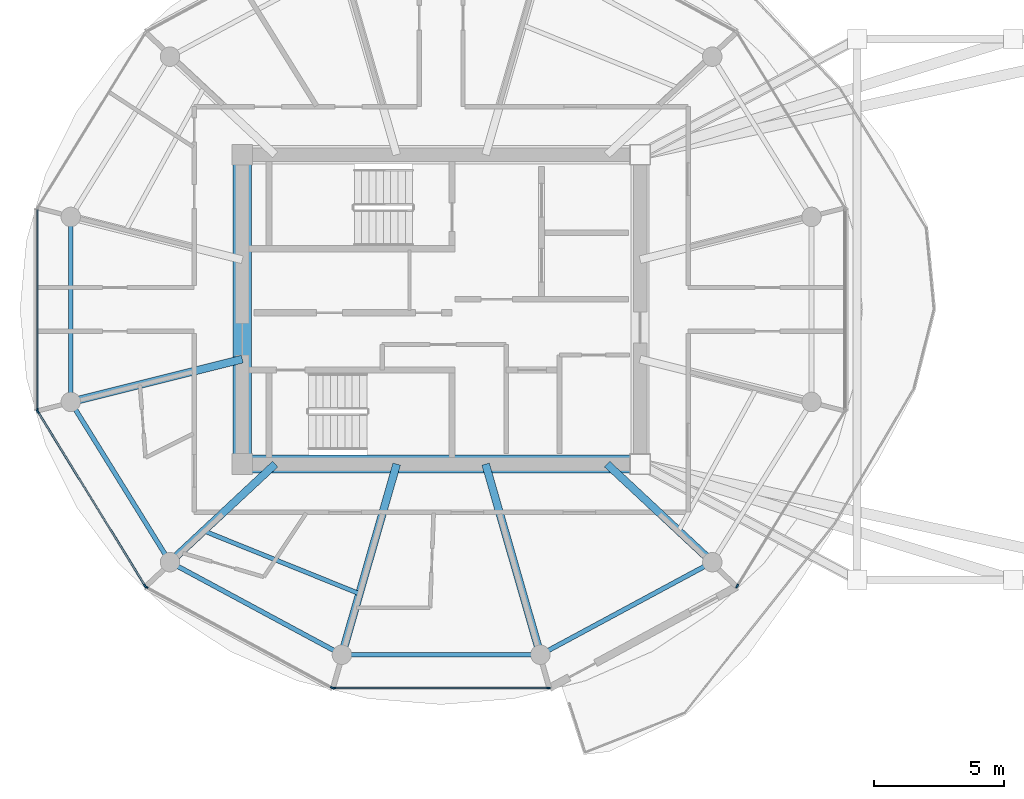
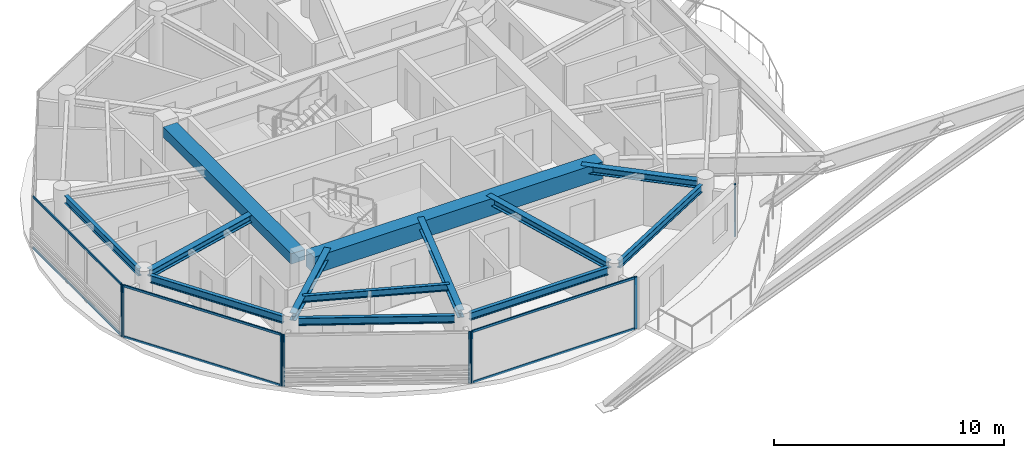
# One storey, part 2 of 23: 14 members, 13 beams, 5 elements without a shape of their own.
"""IFC4 building model written with IfcOpenShell, lengths in metres."""

import ifcopenshell
import ifcopenshell.guid

model = None  # the IFC model being written
_history = None  # IfcOwnerHistory: only IFC2X3 demands one
_inside = {}  # id of a spatial element -> (the spatial element, [elements in it])
_under = {}  # id of a project, library or spatial element -> (it, [spatial elements below it])
_declared = {}  # id of a project -> (the project, [libraries it declares])
_typed = {}  # id of a type object -> (the type object, [elements of that type])
_made_of = {}  # id of a material, layer set ... -> (it, [elements and type objects made of it])


def new_model(schema):
    """Start an empty IFC model of exactly this schema.

    Asked for "IFC4X3", IfcOpenShell would pick the latest addendum, in which some entities
    have other attributes; the version numbers below select the first issue.
    IFC2X3 requires an IfcOwnerHistory on every rooted entity: one is made here for all.
    """
    global model, _history
    if schema == "IFC4X3":
        model = ifcopenshell.file(schema_version=(4, 3, 0, 0))
    else:
        model = ifcopenshell.file(schema=schema)
    _inside.clear()
    _under.clear()
    _declared.clear()
    _typed.clear()
    _made_of.clear()
    _history = None
    if model.schema == "IFC2X3":
        org = make("IfcOrganization", Name="unknown")
        user = make(
            "IfcPersonAndOrganization",
            ThePerson=make("IfcPerson", FamilyName="unknown"),
            TheOrganization=org,
        )
        app = make(
            "IfcApplication",
            ApplicationDeveloper=org,
            Version="unknown",
            ApplicationFullName="unknown",
            ApplicationIdentifier="unknown",
        )
        _history = make(
            "IfcOwnerHistory",
            OwningUser=user,
            OwningApplication=app,
            ChangeAction="ADDED",
            CreationDate=0,
        )
    return model


def make(cls, **values):
    """One entity of the class cls with the attributes given. An attribute that is None is left unset."""
    return model.create_entity(
        cls, **{name: value for name, value in values.items() if value is not None}
    )


def rooted(cls, **values):
    """An entity with a GlobalId (a new one), such as an element, a storey or a relation."""
    return make(cls, GlobalId=ifcopenshell.guid.new(), OwnerHistory=_history, **values)


def si_unit(unit_type, name, prefix=None):
    """IfcSIUnit, for example si_unit("LENGTHUNIT", "METRE", prefix="MILLI")."""
    return make("IfcSIUnit", UnitType=unit_type, Prefix=prefix, Name=name)


def assignment(units):
    """IfcUnitAssignment: the units of a project."""
    return None if units is None else make("IfcUnitAssignment", Units=units)


def point(xyz):
    """IfcCartesianPoint."""
    return None if xyz is None else make("IfcCartesianPoint", Coordinates=xyz)


def direction(xyz):
    """IfcDirection."""
    return None if xyz is None else make("IfcDirection", DirectionRatios=xyz)


def frame(location, z_axis=None, x_axis=None):
    """IfcAxis2Placement3D, a coordinate frame: its origin and axes. An axis left out is left unset."""
    return make(
        "IfcAxis2Placement3D",
        Location=point(location),
        Axis=direction(z_axis),
        RefDirection=direction(x_axis),
    )


def frame_2d(location, x_axis=None):
    """IfcAxis2Placement2D, a coordinate frame in the plane: its origin and x axis."""
    return make(
        "IfcAxis2Placement2D", Location=point(location), RefDirection=direction(x_axis)
    )


def origin():
    """The frame at (0, 0, 0) with its axes left unset."""
    return frame((0.0, 0.0, 0.0))


def origin_2d():
    """The frame at (0, 0) in the plane with its x axis left unset."""
    return frame_2d((0.0, 0.0))


def place(relative_to, where):
    """IfcLocalPlacement: puts the frame where relative to a parent placement (None: the world)."""
    return make(
        "IfcLocalPlacement", PlacementRelTo=relative_to, RelativePlacement=where
    )


def context(
    kind, dimensions, precision=None, world=None, true_north=None, identifier=None
):
    """IfcGeometricRepresentationContext, for example the 3D "Model" context."""
    return make(
        "IfcGeometricRepresentationContext",
        ContextIdentifier=identifier,
        ContextType=kind,
        CoordinateSpaceDimension=dimensions,
        Precision=precision,
        WorldCoordinateSystem=world,
        TrueNorth=true_north,
    )


def subcontext(parent, identifier, kind, view, scale=None):
    """IfcGeometricRepresentationSubContext, for example "Body" below "Model"."""
    return make(
        "IfcGeometricRepresentationSubContext",
        ContextIdentifier=identifier,
        ContextType=kind,
        ParentContext=parent,
        TargetScale=scale,
        TargetView=view,
    )


def project(units=None, contexts=None):
    """IfcProject with its units and contexts."""
    return rooted(
        "IfcProject",
        Name="project",
        RepresentationContexts=contexts,
        UnitsInContext=assignment(units),
    )


def spatial(cls, under=None, at=None, **own):
    """A site, building, storey or space (cls), placed at a placement, below another one or the project."""
    s = rooted(cls, ObjectPlacement=at, **own)
    if under is not None:
        _under.setdefault(under.id(), (under, []))[1].append(s)
    return s


def profile(cls, at=None, kind="AREA", **sizes):
    """A parametric profile (cls). Its sizes go by their IFC names, for example OverallWidth=200.0."""
    return make(cls, ProfileType=kind, Position=at, **sizes)


def rectangle(**sizes):
    """IfcRectangleProfileDef."""
    return profile("IfcRectangleProfileDef", **sizes)


def i_section(**sizes):
    """IfcIShapeProfileDef."""
    return profile("IfcIShapeProfileDef", **sizes)


def extrude(swept, where, along, depth):
    """IfcExtrudedAreaSolid: the profile swept, set in the frame where, extruded along a direction by depth."""
    return make(
        "IfcExtrudedAreaSolid",
        SweptArea=swept,
        Position=where,
        ExtrudedDirection=direction(along),
        Depth=depth,
    )


def shape(context_of_items, identifier, shape_type, items):
    """IfcShapeRepresentation: the items that make up one representation, for example the "Body"."""
    return make(
        "IfcShapeRepresentation",
        ContextOfItems=context_of_items,
        RepresentationIdentifier=identifier,
        RepresentationType=shape_type,
        Items=items,
    )


def source(mapping_origin, context_of_items, identifier, shape_type, items):
    """IfcRepresentationMap: a shape defined once, which mapped items show again and again."""
    return make(
        "IfcRepresentationMap",
        MappingOrigin=mapping_origin,
        MappedRepresentation=shape(context_of_items, identifier, shape_type, items),
    )


def transform(
    local_origin,
    x_axis=None,
    y_axis=None,
    z_axis=None,
    scale=None,
    scale2=None,
    scale3=None,
    uniform=True,
):
    """IfcCartesianTransformationOperator3D, or its non-uniform kind. x_axis, y_axis, z_axis: its Axis1, 2, 3."""
    if uniform:
        return make(
            "IfcCartesianTransformationOperator3D",
            Axis1=direction(x_axis),
            Axis2=direction(y_axis),
            LocalOrigin=point(local_origin),
            Scale=scale,
            Axis3=direction(z_axis),
        )
    return make(
        "IfcCartesianTransformationOperator3DnonUniform",
        Axis1=direction(x_axis),
        Axis2=direction(y_axis),
        LocalOrigin=point(local_origin),
        Scale=scale,
        Axis3=direction(z_axis),
        Scale2=scale2,
        Scale3=scale3,
    )


def mapped(mapping_source, mapping_target):
    """IfcMappedItem: shows the shape of a source again, moved by a transform."""
    return make(
        "IfcMappedItem", MappingSource=mapping_source, MappingTarget=mapping_target
    )


def material(Name=None, Category=None):
    """IfcMaterial."""
    return make("IfcMaterial", Name=Name, Category=Category)


def layer(
    of_material, thickness, ventilated=None, Name=None, Category=None, Priority=None
):
    """IfcMaterialLayer: one layer of a wall or slab, of a material (None: an air gap)."""
    return make(
        "IfcMaterialLayer",
        Material=of_material,
        LayerThickness=thickness,
        IsVentilated=ventilated,
        Name=Name,
        Category=Category,
        Priority=Priority,
    )


def layer_set(layers, Name=None):
    """IfcMaterialLayerSet."""
    return make("IfcMaterialLayerSet", MaterialLayers=layers, LayerSetName=Name)


def material_profile(
    of_material, cross_section, Name=None, Category=None, Priority=None
):
    """IfcMaterialProfile: a cross section and its material."""
    return make(
        "IfcMaterialProfile",
        Name=Name,
        Material=of_material,
        Profile=cross_section,
        Priority=Priority,
        Category=Category,
    )


def profile_set(profiles, Name=None, composite=None):
    """IfcMaterialProfileSet."""
    return make(
        "IfcMaterialProfileSet",
        Name=Name,
        MaterialProfiles=profiles,
        CompositeProfile=composite,
    )


def made_of(thing, what):
    """Note that an element or type object is made of a material, layer set ...; save() writes the relation."""
    if what is not None:
        _made_of.setdefault(what.id(), (what, []))[1].append(thing)
    return thing


def type_object(cls, material=None, **own):
    """A type object (cls), such as IfcWallType, which elements share."""
    return made_of(rooted(cls, **own), material)


def type_shapes(of_type, sources):
    """Give a type object the sources (RepresentationMaps) that its elements show as mapped items."""
    of_type.RepresentationMaps = sources


def element(
    cls,
    number,
    at=None,
    inside=None,
    cuts=None,
    type_object=None,
    material=None,
    context=None,
    identifier="Body",
    shape_type=None,
    held_by="IfcProductDefinitionShape",
    body=None,
    shapes=None,
    **own,
):
    """One element of the class cls, such as IfcWall. Its Tag is "e" and its number.

    at: its placement. inside: the storey or other place that contains it. cuts: it is an
    opening in that element (IfcRelVoidsElement). A single representation is given by context,
    identifier, shape_type and body (its items); several are given by shapes. held_by: the class
    of the entity that holds the representations. save() writes the other relations.
    """
    e = rooted(cls, Tag="e%d" % number, ObjectPlacement=at, **own)
    if body is not None:
        shapes = [shape(context, identifier, shape_type, body)]
    if shapes is not None:
        e.Representation = make(held_by, Representations=shapes)
    if inside is not None:
        _inside.setdefault(inside.id(), (inside, []))[1].append(e)
    if cuts is not None:
        rooted(
            "IfcRelVoidsElement", RelatingBuildingElement=cuts, RelatedOpeningElement=e
        )
    if type_object is not None:
        _typed.setdefault(type_object.id(), (type_object, []))[1].append(e)
    return made_of(e, material)


def aggregate(whole, parts):
    """IfcRelAggregates: a whole, such as a stair, and the parts it consists of."""
    return rooted("IfcRelAggregates", RelatingObject=whole, RelatedObjects=parts)


def save(model, path):
    """Write the relations noted so far, then the file.

    IfcRelAggregates (storeys below a building ...), IfcRelContainedInSpatialStructure (elements
    in a storey), IfcRelDefinesByType, IfcRelAssociatesMaterial and IfcRelDeclares: one each for
    every whole, place, type object, material and project.
    """
    for whole, parts in _under.values():
        aggregate(whole, parts)
    for where, things in _inside.values():
        rooted(
            "IfcRelContainedInSpatialStructure",
            RelatedElements=things,
            RelatingStructure=where,
        )
    for kind, things in _typed.values():
        rooted("IfcRelDefinesByType", RelatedObjects=things, RelatingType=kind)
    for what, things in _made_of.values():
        rooted("IfcRelAssociatesMaterial", RelatedObjects=things, RelatingMaterial=what)
    for by, libraries in _declared.values():
        rooted("IfcRelDeclares", RelatingContext=by, RelatedDefinitions=libraries)
    model.write(path)


model = new_model("IFC4")

# Units and contexts
model_context = context("Model", 3, precision=1e-05, world=origin(), true_north=direction((0.0, 1.0)))
body_context = subcontext(model_context, "Body", "Model", "MODEL_VIEW")
ifc_project = project(units=[si_unit("LENGTHUNIT", "METRE"), si_unit("AREAUNIT", "SQUARE_METRE"), si_unit("VOLUMEUNIT", "CUBIC_METRE"), si_unit("PLANEANGLEUNIT", "RADIAN"), si_unit("MASSUNIT", "GRAM", prefix="KILO")], contexts=[model_context])

# Site, building, storey
site_placement = place(None, origin())
site = spatial("IfcSite", under=ifc_project, at=site_placement, CompositionType="ELEMENT")
building_placement = place(site_placement, origin())
building = spatial("IfcBuilding", under=site, at=building_placement, Name="Norrkilde Senior Care Towers", CompositionType="ELEMENT")
storey_placement = place(building_placement, frame((0.0, 0.0, 196.75)))
storey = spatial("IfcBuildingStorey", under=building, at=storey_placement, Name="L61", CompositionType="ELEMENT", Elevation=196.75)

# Beams
ifc_material_1 = material(Name="Concrete C60/75", Category="concrete")
ifc_material_profile_1 = material_profile(ifc_material_1, rectangle(XDim=0.699951171875, YDim=0.89990234375, at=origin_2d()), Name="RC BM 700x900")
ifc_profile_set_1 = profile_set([ifc_material_profile_1], Name="Concrete C60/75")
beam_type_1 = type_object("IfcBeamType", Name="Core Coupling Girder 700x900", PredefinedType="USERDEFINED", material=ifc_profile_set_1)
shared_shape_1 = source(origin(), body_context, "Body", "SweptSolid", [
    extrude(rectangle(XDim=0.699951171875, YDim=0.89990234375, at=origin_2d()), origin(), (0.0, 0.0, 1.0), 14.5400390625),
])
type_shapes(beam_type_1, [shared_shape_1])
beam_1_placement = place(storey_placement, frame((-35.27001953125, -5.949951171875, 2.31005859375), z_axis=(1.0, 0.0, 0.0), x_axis=(0.0, 1.0, 0.0)))
element("IfcBeam", 1, at=beam_1_placement, inside=storey, type_object=beam_type_1, Name="L61 Core W S Coupling Girder", ObjectType="GIRDER", PredefinedType="USERDEFINED", context=body_context, shape_type="MappedRepresentation", body=[
    mapped(shared_shape_1, transform((0.0, 0.0, 0.0), x_axis=(1.0, 0.0, 0.0), y_axis=(0.0, 1.0, 0.0), z_axis=(0.0, 0.0, 1.0), scale=1.0)),
])
ifc_material_profile_2 = material_profile(ifc_material_1, rectangle(XDim=0.699951171875, YDim=0.550048828125, at=origin_2d()), Name="RC BM 700x550")
ifc_profile_set_2 = profile_set([ifc_material_profile_2], Name="Concrete C60/75")
beam_type_2 = type_object("IfcBeamType", Name="Core Portal Coupling Beam 700x550", PredefinedType="USERDEFINED", material=ifc_profile_set_2)
shared_shape_2 = source(origin(), body_context, "Body", "SweptSolid", [
    extrude(rectangle(XDim=0.699951171875, YDim=0.550048828125, at=origin_2d()), origin(), (0.0, 0.0, 1.0), 11.14013671875),
])
type_shapes(beam_type_2, [shared_shape_2])
beam_2_placement = place(storey_placement, frame((-35.64990234375, -5.570068359375, 2.485107421875), z_axis=(0.0, 1.0, 0.0), x_axis=(-1.0, 0.0, 0.0)))
element("IfcBeam", 2, at=beam_2_placement, inside=storey, type_object=beam_type_2, Name="L61 Core W W Coupling Girder", ObjectType="GIRDER", PredefinedType="USERDEFINED", context=body_context, shape_type="MappedRepresentation", body=[
    mapped(shared_shape_2, transform((0.0, 0.0, 0.0), x_axis=(1.0, 0.0, 0.0), y_axis=(0.0, 1.0, 0.0), z_axis=(0.0, 0.0, 1.0), scale=1.0)),
])
ifc_material_2 = material(Name="Steel S355", Category="steel")
ifc_material_profile_3 = material_profile(ifc_material_2, i_section(OverallWidth=0.179931640625, OverallDepth=0.39990234375, WebThickness=0.008544921875, FlangeThickness=0.013427734375, FilletRadius=0.02099609375, at=origin_2d()), Name="IPE 400")
ifc_profile_set_3 = profile_set([ifc_material_profile_3], Name="Steel S355")
beam_type_3 = type_object("IfcBeamType", Name="Perimeter Ring Spandrel Z4 IPE400", PredefinedType="SPANDREL", material=ifc_profile_set_3)
shared_shape_3 = source(origin(), body_context, "Body", "SweptSolid", [
    extrude(i_section(OverallWidth=0.179931640625, OverallDepth=0.39990234375, WebThickness=0.008544921875, FlangeThickness=0.013427734375, FilletRadius=0.02099609375, at=origin_2d()), origin(), (0.0, 0.0, 1.0), 6.58056640625),
])
beam_3_placement = place(storey_placement, frame((-42.071044921875, -3.843505859375, 2.56005859375), z_axis=(0.526529583789, -0.850156807533, 0.0), x_axis=(0.850156807533, 0.526529583789, 0.0)))
element("IfcBeam", 3, at=beam_3_placement, inside=storey, type_object=beam_type_3, Name="L61 Drum W Perimeter Spandrel 07", PredefinedType="SPANDREL", context=body_context, shape_type="MappedRepresentation", body=[
    mapped(shared_shape_3, transform((0.0, 0.0, 0.0), x_axis=(1.0, 0.0, 0.0), y_axis=(0.0, 1.0, 0.0), z_axis=(0.0, 0.0, 1.0), scale=1.0)),
])
ifc_material_profile_4 = material_profile(ifc_material_2, i_section(OverallWidth=0.300048828125, OverallDepth=0.39990234375, WebThickness=0.013427734375, FlangeThickness=0.02392578125, FilletRadius=0.027099609375, at=origin_2d()), Name="HEB 400")
ifc_profile_set_4 = profile_set([ifc_material_profile_4], Name="Steel S355")
beam_type_4 = type_object("IfcBeamType", Name="Radial Floor Beam Z4 HEB400", PredefinedType="BEAM", material=ifc_profile_set_4)
shared_shape_4 = source(origin(), body_context, "Body", "SweptSolid", [
    extrude(i_section(OverallWidth=0.300048828125, OverallDepth=0.39990234375, WebThickness=0.013427734375, FlangeThickness=0.02392578125, FilletRadius=0.027099609375, at=origin_2d()), origin(), (0.0, 0.0, 1.0), 6.465087890625),
])
beam_4_placement = place(storey_placement, frame((-35.64990234375, -1.910888671875, 2.56005859375), z_axis=(-0.970195788563, -0.242322371758, 0.0), x_axis=(0.242322371758, -0.970195788563, 0.0)))
element("IfcBeam", 4, at=beam_4_placement, inside=storey, type_object=beam_type_4, Name="L61 Drum W Radial Floor Beam 07", PredefinedType="BEAM", context=body_context, shape_type="MappedRepresentation", body=[
    mapped(shared_shape_4, transform((0.0, 0.0, 0.0), x_axis=(1.0, 0.0, 0.0), y_axis=(0.0, 1.0, 0.0), z_axis=(0.0, 0.0, 1.0), scale=1.0)),
])
shared_shape_5 = source(origin(), body_context, "Body", "SweptSolid", [
    extrude(i_section(OverallWidth=0.179931640625, OverallDepth=0.39990234375, WebThickness=0.008544921875, FlangeThickness=0.013427734375, FilletRadius=0.02099609375, at=origin_2d()), origin(), (0.0, 0.0, 1.0), 6.839111328125),
])
for number, where, z_axis, x_axis, name in (
    (5, (-38.134765625, -9.881591796875, 2.56005859375), (0.880563930732, -0.473927382511, 0.0), (0.473927382511, 0.880563930732, 0.0), "L61 Drum W Perimeter Spandrel 08"),
    (6, (-23.887451171875, -13.122802734375, 2.56005859375), (0.880563930732, 0.473927382511, 0.0), (-0.473927382511, 0.880563930732, 0.0), "L61 Drum W Perimeter Spandrel 10"),
):
    element("IfcBeam", number, at=place(storey_placement, frame(where, z_axis=z_axis, x_axis=x_axis)), inside=storey, type_object=beam_type_3, Name=name, PredefinedType="SPANDREL", context=body_context, shape_type="MappedRepresentation", body=[
        mapped(shared_shape_5, transform((0.0, 0.0, 0.0), x_axis=(1.0, 0.0, 0.0), y_axis=(0.0, 1.0, 0.0), z_axis=(0.0, 0.0, 1.0), scale=1.0)),
    ])
shared_shape_6 = source(origin(), body_context, "Body", "SweptSolid", [
    extrude(i_section(OverallWidth=0.300048828125, OverallDepth=0.39990234375, WebThickness=0.013427734375, FlangeThickness=0.02392578125, FilletRadius=0.027099609375, at=origin_2d()), origin(), (0.0, 0.0, 1.0), 5.197998046875),
])
for number, where, z_axis, x_axis, name in (
    (7, (-34.3828125, -5.949951171875, 2.56005859375), (-0.731448749334, -0.681896419625, 0.0), (0.681896419625, -0.731448749334, 0.0), "L61 Drum W Radial Floor Beam 08"),
    (8, (-21.6171875, -5.949951171875, 2.56005859375), (0.731448749334, -0.681896419625, 0.0), (0.681896419625, 0.731448749334, 0.0), "L61 Drum W Radial Floor Beam 11"),
):
    element("IfcBeam", number, at=place(storey_placement, frame(where, z_axis=z_axis, x_axis=x_axis)), inside=storey, type_object=beam_type_4, Name=name, PredefinedType="BEAM", context=body_context, shape_type="MappedRepresentation", body=[
        mapped(shared_shape_6, transform((0.0, 0.0, 0.0), x_axis=(1.0, 0.0, 0.0), y_axis=(0.0, 1.0, 0.0), z_axis=(0.0, 0.0, 1.0), scale=1.0)),
    ])
shared_shape_7 = source(origin(), body_context, "Body", "SweptSolid", [
    extrude(i_section(OverallWidth=0.179931640625, OverallDepth=0.39990234375, WebThickness=0.008544921875, FlangeThickness=0.013427734375, FilletRadius=0.02099609375, at=origin_2d()), origin(), (0.0, 0.0, 1.0), 6.96533203125),
])
beam_5_placement = place(storey_placement, frame((-31.482666015625, -13.281494140625, 2.56005859375), z_axis=(1.0, 0.0, 0.0), x_axis=(0.0, 1.0, 0.0)))
element("IfcBeam", 9, at=beam_5_placement, inside=storey, type_object=beam_type_3, Name="L61 Drum W Perimeter Spandrel 09", PredefinedType="SPANDREL", context=body_context, shape_type="MappedRepresentation", body=[
    mapped(shared_shape_7, transform((0.0, 0.0, 0.0), x_axis=(1.0, 0.0, 0.0), y_axis=(0.0, 1.0, 0.0), z_axis=(0.0, 0.0, 1.0), scale=1.0)),
])
shared_shape_8 = source(origin(), body_context, "Body", "SweptSolid", [
    extrude(i_section(OverallWidth=0.300048828125, OverallDepth=0.39990234375, WebThickness=0.013427734375, FlangeThickness=0.02392578125, FilletRadius=0.027099609375, at=origin_2d()), origin(), (0.0, 0.0, 1.0), 7.29345703125),
])
type_shapes(beam_type_4, [shared_shape_4, shared_shape_6, shared_shape_8])
for number, where, z_axis, x_axis, name in (
    (10, (-29.710205078125, -5.949951171875, 2.56005859375), (-0.276263751906, -0.961081858836, 0.0), (0.961081858836, -0.276263751906, 0.0), "L61 Drum W Radial Floor Beam 09"),
    (11, (-26.289794921875, -5.949951171875, 2.56005859375), (0.276263751906, -0.961081858836, 0.0), (0.961081858836, 0.276263751906, 0.0), "L61 Drum W Radial Floor Beam 10"),
):
    element("IfcBeam", number, at=place(storey_placement, frame(where, z_axis=z_axis, x_axis=x_axis)), inside=storey, type_object=beam_type_4, Name=name, PredefinedType="BEAM", context=body_context, shape_type="MappedRepresentation", body=[
        mapped(shared_shape_8, transform((0.0, 0.0, 0.0), x_axis=(1.0, 0.0, 0.0), y_axis=(0.0, 1.0, 0.0), z_axis=(0.0, 0.0, 1.0), scale=1.0)),
    ])
shared_shape_9 = source(origin(), body_context, "Body", "SweptSolid", [
    extrude(i_section(OverallWidth=0.179931640625, OverallDepth=0.39990234375, WebThickness=0.008544921875, FlangeThickness=0.013427734375, FilletRadius=0.02099609375, at=origin_2d()), origin(), (0.0, 0.0, 1.0), 6.44775390625),
])
type_shapes(beam_type_3, [shared_shape_3, shared_shape_5, shared_shape_7, shared_shape_9])
beam_6_placement = place(storey_placement, frame((-42.247314453125, 3.223876953125, 2.56005859375), z_axis=(0.0, -1.0, 0.0), x_axis=(1.0, 0.0, 0.0)))
element("IfcBeam", 12, at=beam_6_placement, inside=storey, type_object=beam_type_3, Name="L61 Drum W Perimeter Spandrel 06", PredefinedType="SPANDREL", context=body_context, shape_type="MappedRepresentation", body=[
    mapped(shared_shape_9, transform((0.0, 0.0, 0.0), x_axis=(1.0, 0.0, 0.0), y_axis=(0.0, 1.0, 0.0), z_axis=(0.0, 0.0, 1.0), scale=1.0)),
])
ifc_material_profile_5 = material_profile(ifc_material_2, i_section(OverallWidth=0.169921875, OverallDepth=0.360107421875, WebThickness=0.008056640625, FlangeThickness=0.0126953125, FilletRadius=0.01806640625, at=origin_2d()), Name="IPE 360")
ifc_profile_set_5 = profile_set([ifc_material_profile_5], Name="Steel S355")
beam_type_5 = type_object("IfcBeamType", Name="Secondary Floor Joist IPE360", PredefinedType="JOIST", material=ifc_profile_set_5)
shared_shape_10 = source(origin(), body_context, "Body", "SweptSolid", [
    extrude(i_section(OverallWidth=0.169921875, OverallDepth=0.360107421875, WebThickness=0.008056640625, FlangeThickness=0.0126953125, FilletRadius=0.01806640625, at=origin_2d()), origin(), (0.0, 0.0, 1.0), 6.461669921875),
])
type_shapes(beam_type_5, [shared_shape_10])
beam_7_placement = place(storey_placement, frame((-37.134765625, -8.515380859375, 2.580078125), z_axis=(0.927225942298, -0.374502405772, 0.0), x_axis=(0.374502405772, 0.927225942298, 0.0)))
element("IfcBeam", 13, at=beam_7_placement, inside=storey, type_object=beam_type_5, Name="L61 Drum W Secondary Floor Joist 3", PredefinedType="JOIST", context=body_context, shape_type="MappedRepresentation", body=[
    mapped(shared_shape_10, transform((0.0, 0.0, 0.0), x_axis=(1.0, 0.0, 0.0), y_axis=(0.0, 1.0, 0.0), z_axis=(0.0, 0.0, 1.0), scale=1.0)),
])

# Curtain wall, members
ifc_material_3 = material(Name="Triple Low-E Insulated Glazing", Category="glass")
ifc_layer = layer(ifc_material_3, 0.18505859375)
ifc_layer_set = layer_set([ifc_layer], Name="Triple Low-E Insulated Glazing")
curtain_wall_type = type_object("IfcCurtainWallType", Name="CW6 Zone 4 Crown Pavilion Curtain Wall", PredefinedType="NOTDEFINED", material=ifc_layer_set)
curtain_wall_1_placement = place(storey_placement, origin())
curtain_wall_1 = element("IfcCurtainWall", 14, at=curtain_wall_1_placement, inside=storey, type_object=curtain_wall_type, Name="L61 Drum W Curtain Wall 06", PredefinedType="NOTDEFINED")
ifc_material_4 = material(Name="Anodised Aluminium", Category="aluminium")
ifc_material_profile_6 = material_profile(ifc_material_4, rectangle(XDim=0.06005859375, YDim=0.1201171875, at=origin_2d()), Name="ALU TRAN 60x120")
ifc_profile_set_6 = profile_set([ifc_material_profile_6], Name="Anodised Aluminium")
member_type_1 = type_object("IfcMemberType", Name="Curtain Wall Transom Typical 60x120", PredefinedType="USERDEFINED", material=ifc_profile_set_6)
shared_shape_11 = source(origin(), body_context, "Body", "SweptSolid", [
    extrude(rectangle(XDim=0.06005859375, YDim=0.1201171875, at=origin_2d()), origin(), (0.0, 0.0, 1.0), 7.808837890625),
])
member_1_placement = place(storey_placement, frame((-39.404296875, -10.60791015625, 0.030029296875), z_axis=(-0.524250924101, 0.851563837055, 0.0), x_axis=(-0.851563837055, -0.524250924101, 0.0)))
member_1 = element("IfcMember", 15, at=member_1_placement, type_object=member_type_1, Name="CW-6 transom 1.1", ObjectType="TRANSOM", PredefinedType="USERDEFINED", context=body_context, shape_type="MappedRepresentation", body=[
    mapped(shared_shape_11, transform((0.0, 0.0, 0.0), x_axis=(1.0, 0.0, 0.0), y_axis=(0.0, 1.0, 0.0), z_axis=(0.0, 0.0, 1.0), scale=1.0)),
])
member_2_placement = place(storey_placement, frame((-39.404296875, -10.60791015625, 2.72998046875), z_axis=(-0.524250924101, 0.851563837055, 0.0), x_axis=(-0.851563837055, -0.524250924101, 0.0)))
member_2 = element("IfcMember", 16, at=member_2_placement, type_object=member_type_1, Name="CW-6 transom 1.2", ObjectType="TRANSOM", PredefinedType="USERDEFINED", context=body_context, shape_type="MappedRepresentation", body=[
    mapped(shared_shape_11, transform((0.0, 0.0, 0.0), x_axis=(1.0, 0.0, 0.0), y_axis=(0.0, 1.0, 0.0), z_axis=(0.0, 0.0, 1.0), scale=1.0)),
])

curtain_wall_2_placement = place(storey_placement, origin())
curtain_wall_2 = element("IfcCurtainWall", 17, at=curtain_wall_2_placement, inside=storey, type_object=curtain_wall_type, Name="L61 Drum W Curtain Wall 08", PredefinedType="NOTDEFINED")
shared_shape_12 = source(origin(), body_context, "Body", "SweptSolid", [
    extrude(rectangle(XDim=0.06005859375, YDim=0.1201171875, at=origin_2d()), origin(), (0.0, 0.0, 1.0), 8.19384765625),
])
member_3_placement = place(storey_placement, frame((-23.903076171875, -14.566162109375, 0.030029296875), z_axis=(-1.0, 0.0, 0.0), x_axis=(0.0, -1.0, 0.0)))
member_3 = element("IfcMember", 18, at=member_3_placement, type_object=member_type_1, Name="CW-6 transom 1.1", ObjectType="TRANSOM", PredefinedType="USERDEFINED", context=body_context, shape_type="MappedRepresentation", body=[
    mapped(shared_shape_12, transform((0.0, 0.0, 0.0), x_axis=(1.0, 0.0, 0.0), y_axis=(0.0, 1.0, 0.0), z_axis=(0.0, 0.0, 1.0), scale=1.0)),
])
member_4_placement = place(storey_placement, frame((-23.903076171875, -14.566162109375, 2.72998046875), z_axis=(-1.0, 0.0, 0.0), x_axis=(0.0, -1.0, 0.0)))
member_4 = element("IfcMember", 19, at=member_4_placement, type_object=member_type_1, Name="CW-6 transom 1.2", ObjectType="TRANSOM", PredefinedType="USERDEFINED", context=body_context, shape_type="MappedRepresentation", body=[
    mapped(shared_shape_12, transform((0.0, 0.0, 0.0), x_axis=(1.0, 0.0, 0.0), y_axis=(0.0, 1.0, 0.0), z_axis=(0.0, 0.0, 1.0), scale=1.0)),
])

curtain_wall_3_placement = place(storey_placement, origin())
curtain_wall_3 = element("IfcCurtainWall", 20, at=curtain_wall_3_placement, inside=storey, type_object=curtain_wall_type, Name="L61 Drum W Curtain Wall 05", PredefinedType="NOTDEFINED")
shared_shape_13 = source(origin(), body_context, "Body", "SweptSolid", [
    extrude(rectangle(XDim=0.06005859375, YDim=0.1201171875, at=origin_2d()), origin(), (0.0, 0.0, 1.0), 7.67578125),
])
type_shapes(member_type_1, [shared_shape_11, shared_shape_12, shared_shape_13])
member_5_placement = place(storey_placement, frame((-43.531982421875, -3.837890625, 0.030029296875), z_axis=(0.0, 1.0, 0.0), x_axis=(-1.0, 0.0, 0.0)))
member_5 = element("IfcMember", 21, at=member_5_placement, type_object=member_type_1, Name="CW-6 transom 1.1", ObjectType="TRANSOM", PredefinedType="USERDEFINED", context=body_context, shape_type="MappedRepresentation", body=[
    mapped(shared_shape_13, transform((0.0, 0.0, 0.0), x_axis=(1.0, 0.0, 0.0), y_axis=(0.0, 1.0, 0.0), z_axis=(0.0, 0.0, 1.0), scale=1.0)),
])
member_6_placement = place(storey_placement, frame((-43.531982421875, -3.837890625, 2.72998046875), z_axis=(0.0, 1.0, 0.0), x_axis=(-1.0, 0.0, 0.0)))
member_6 = element("IfcMember", 22, at=member_6_placement, type_object=member_type_1, Name="CW-6 transom 1.2", ObjectType="TRANSOM", PredefinedType="USERDEFINED", context=body_context, shape_type="MappedRepresentation", body=[
    mapped(shared_shape_13, transform((0.0, 0.0, 0.0), x_axis=(1.0, 0.0, 0.0), y_axis=(0.0, 1.0, 0.0), z_axis=(0.0, 0.0, 1.0), scale=1.0)),
])
ifc_material_profile_7 = material_profile(ifc_material_4, rectangle(XDim=0.06494140625, YDim=0.14990234375, at=origin_2d()), Name="ALU MULL 65x150")
ifc_profile_set_7 = profile_set([ifc_material_profile_7], Name="Anodised Aluminium")
member_type_2 = type_object("IfcMemberType", Name="Curtain Wall Mullion Z3-Z4 65x150", PredefinedType="MULLION", material=ifc_profile_set_7)
shared_shape_14 = source(origin(), body_context, "Body", "SweptSolid", [
    extrude(rectangle(XDim=0.06494140625, YDim=0.14990234375, at=origin_2d()), origin(), (0.0, 0.0, 1.0), 2.760009765625),
])
type_shapes(member_type_2, [shared_shape_14])
member_7_placement = place(storey_placement, frame((-43.531982421875, -3.87060546875, 0.0), z_axis=(0.0, 0.0, 1.0), x_axis=(-1.0, 0.0, 0.0)))
member_7 = element("IfcMember", 23, at=member_7_placement, type_object=member_type_2, Name="CW-6 mullion 1", PredefinedType="MULLION", context=body_context, shape_type="MappedRepresentation", body=[
    mapped(shared_shape_14, transform((0.0, 0.0, 0.0), x_axis=(1.0, 0.0, 0.0), y_axis=(0.0, 1.0, 0.0), z_axis=(0.0, 0.0, 1.0), scale=1.0)),
])
aggregate(curtain_wall_3, [member_7, member_5, member_6])

# Member
member_8_placement = place(storey_placement, frame((-39.38720703125, -10.635498046875, 0.0), z_axis=(0.0, 0.0, 1.0), x_axis=(-0.851562727283, -0.524252726748, 0.0)))
member_8 = element("IfcMember", 24, at=member_8_placement, type_object=member_type_2, Name="CW-6 mullion 1", PredefinedType="MULLION", context=body_context, shape_type="MappedRepresentation", body=[
    mapped(shared_shape_14, transform((0.0, 0.0, 0.0), x_axis=(1.0, 0.0, 0.0), y_axis=(0.0, 1.0, 0.0), z_axis=(0.0, 0.0, 1.0), scale=1.0)),
])

member_9_placement = place(storey_placement, frame((-43.51513671875, -3.9306640625, 0.0), z_axis=(0.0, 0.0, 1.0), x_axis=(-0.851562727283, -0.524252726748, 0.0)))
member_9 = element("IfcMember", 25, at=member_9_placement, type_object=member_type_2, Name="CW-6 mullion 2", PredefinedType="MULLION", context=body_context, shape_type="MappedRepresentation", body=[
    mapped(shared_shape_14, transform((0.0, 0.0, 0.0), x_axis=(1.0, 0.0, 0.0), y_axis=(0.0, 1.0, 0.0), z_axis=(0.0, 0.0, 1.0), scale=1.0)),
])

aggregate(curtain_wall_1, [member_8, member_9, member_1, member_2])

# Curtain wall, members
curtain_wall_4_placement = place(storey_placement, origin())
curtain_wall_4 = element("IfcCurtainWall", 26, at=curtain_wall_4_placement, inside=storey, type_object=curtain_wall_type, Name="L61 Drum W Curtain Wall 07", PredefinedType="NOTDEFINED")
member_10_placement = place(storey_placement, frame((-32.1904296875, -14.55078125, 0.0), z_axis=(0.0, 0.0, 1.0), x_axis=(-0.476132676136, -0.879373455772, 0.0)))
member_10 = element("IfcMember", 27, at=member_10_placement, type_object=member_type_2, Name="CW-6 mullion 1", PredefinedType="MULLION", context=body_context, shape_type="MappedRepresentation", body=[
    mapped(shared_shape_14, transform((0.0, 0.0, 0.0), x_axis=(1.0, 0.0, 0.0), y_axis=(0.0, 1.0, 0.0), z_axis=(0.0, 0.0, 1.0), scale=1.0)),
])
member_11_placement = place(storey_placement, frame((-39.341796875, -10.6787109375, 0.0), z_axis=(0.0, 0.0, 1.0), x_axis=(-0.476132676136, -0.879373455772, 0.0)))
member_11 = element("IfcMember", 28, at=member_11_placement, type_object=member_type_2, Name="CW-6 mullion 2", PredefinedType="MULLION", context=body_context, shape_type="MappedRepresentation", body=[
    mapped(shared_shape_14, transform((0.0, 0.0, 0.0), x_axis=(1.0, 0.0, 0.0), y_axis=(0.0, 1.0, 0.0), z_axis=(0.0, 0.0, 1.0), scale=1.0)),
])
aggregate(curtain_wall_4, [member_10, member_11])

# Member
member_12_placement = place(storey_placement, frame((-23.87060546875, -14.566162109375, 0.0), z_axis=(0.0, 0.0, 1.0), x_axis=(0.0, -1.0, 0.0)))
member_12 = element("IfcMember", 29, at=member_12_placement, type_object=member_type_2, Name="CW-6 mullion 1", PredefinedType="MULLION", context=body_context, shape_type="MappedRepresentation", body=[
    mapped(shared_shape_14, transform((0.0, 0.0, 0.0), x_axis=(1.0, 0.0, 0.0), y_axis=(0.0, 1.0, 0.0), z_axis=(0.0, 0.0, 1.0), scale=1.0)),
])

member_13_placement = place(storey_placement, frame((-32.12939453125, -14.566162109375, 0.0), z_axis=(0.0, 0.0, 1.0), x_axis=(0.0, -1.0, 0.0)))
member_13 = element("IfcMember", 30, at=member_13_placement, type_object=member_type_2, Name="CW-6 mullion 2", PredefinedType="MULLION", context=body_context, shape_type="MappedRepresentation", body=[
    mapped(shared_shape_14, transform((0.0, 0.0, 0.0), x_axis=(1.0, 0.0, 0.0), y_axis=(0.0, 1.0, 0.0), z_axis=(0.0, 0.0, 1.0), scale=1.0)),
])

aggregate(curtain_wall_2, [member_12, member_13, member_3, member_4])

# Curtain wall, member
curtain_wall_5_placement = place(storey_placement, origin())
curtain_wall_5 = element("IfcCurtainWall", 31, at=curtain_wall_5_placement, inside=storey, type_object=curtain_wall_type, Name="L61 Drum W Curtain Wall 10", PredefinedType="NOTDEFINED")
member_14_placement = place(storey_placement, frame((-16.61279296875, -10.635498046875, 0.0), z_axis=(0.0, 0.0, 1.0), x_axis=(0.851562727283, -0.524252726748, 0.0)))
member_14 = element("IfcMember", 32, at=member_14_placement, type_object=member_type_2, Name="CW-6 mullion 2", PredefinedType="MULLION", context=body_context, shape_type="MappedRepresentation", body=[
    mapped(shared_shape_14, transform((0.0, 0.0, 0.0), x_axis=(1.0, 0.0, 0.0), y_axis=(0.0, 1.0, 0.0), z_axis=(0.0, 0.0, 1.0), scale=1.0)),
])
aggregate(curtain_wall_5, [member_14])

save(model, "model.ifc")
